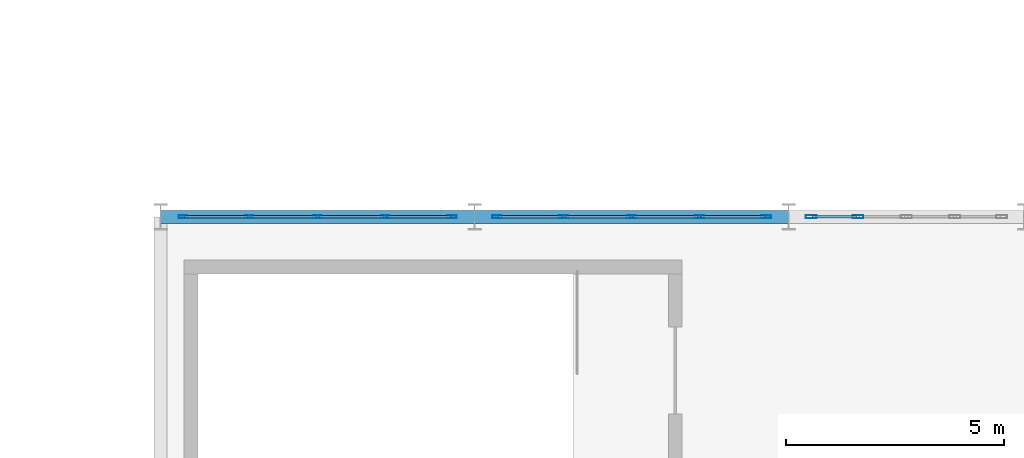
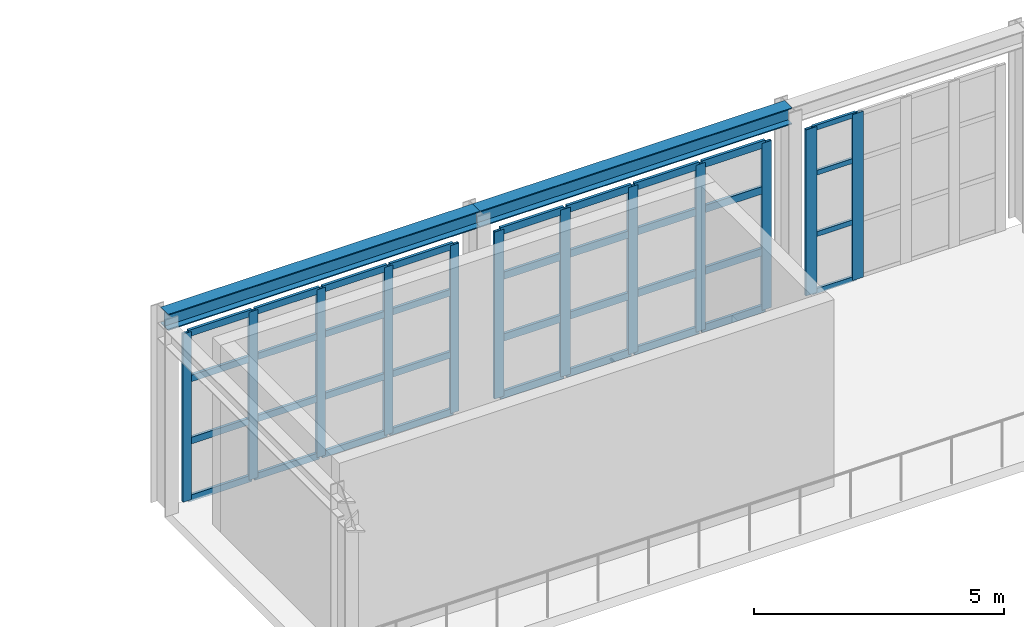
# One storey, part 65 of 126: 48 members, 2 beams, 3 elements without a shape of their own.
"""IFC4 building model written with IfcOpenShell, lengths in metres."""

from ifc_helpers import new_model, si_unit, direction, frame, origin, origin_2d, place, context, subcontext, project, spatial, hollow_rectangle, i_section, extrude, material, layer, layer_set, material_profile, profile_set, type_object, element, aggregate, save


model = new_model("IFC4")

# Units and contexts
model_context = context("Model", 3, precision=1e-05, world=origin(), true_north=direction((0.0, 1.0)))
body_context = subcontext(model_context, "Body", "Model", "MODEL_VIEW")
ifc_project = project(units=[si_unit("LENGTHUNIT", "METRE"), si_unit("AREAUNIT", "SQUARE_METRE"), si_unit("VOLUMEUNIT", "CUBIC_METRE"), si_unit("PLANEANGLEUNIT", "RADIAN"), si_unit("MASSUNIT", "GRAM", prefix="KILO")], contexts=[model_context])

# Site, building, storey
site_placement = place(None, origin())
site = spatial("IfcSite", under=ifc_project, at=site_placement, CompositionType="ELEMENT")
building_placement = place(site_placement, origin())
building = spatial("IfcBuilding", under=site, at=building_placement, Name="Solvadek Multi-Sports Hall", CompositionType="ELEMENT")
storey_placement = place(building_placement, frame((0.0, 0.0, 9.60009765625)))
storey = spatial("IfcBuildingStorey", under=building, at=storey_placement, Name="L02", CompositionType="ELEMENT", Elevation=9.60009765625)

# Curtain wall, members
ifc_material_1 = material(Name="Anodised aluminium", Category="aluminium")
ifc_layer_1 = layer(ifc_material_1, 0.159912109375, Name="Anodised aluminium")
ifc_layer_set_1 = layer_set([ifc_layer_1], Name="Anodised aluminium")
curtain_wall_type_1 = type_object("IfcCurtainWallType", Name="ENV-CW-624X410", PredefinedType="USERDEFINED", material=ifc_layer_set_1)
curtain_wall_1_placement = place(storey_placement, origin())
curtain_wall_1 = element("IfcCurtainWall", 1, at=curtain_wall_1_placement, inside=storey, type_object=curtain_wall_type_1, Name="L02 Perimeter Bay Curtain Wall #131", ObjectType="CURTAIN WALL", PredefinedType="USERDEFINED")
ifc_material_profile_1 = material_profile(ifc_material_1, hollow_rectangle(XDim=0.06494140625, YDim=0.199951171875, WallThickness=0.0048828125, at=origin_2d()), Name="ALU-M 200x65x5")
ifc_profile_set_1 = profile_set([ifc_material_profile_1], Name="Anodised aluminium")
member_type_1 = type_object("IfcMemberType", Name="ENV-CWM-03", PredefinedType="MULLION", material=ifc_profile_set_1)
member_1_placement = place(storey_placement, frame((137.3125, 70.800048828125, 0.0), z_axis=(0.0, 0.0, 1.0), x_axis=(0.0, 1.0, 0.0)))
member_1 = element("IfcMember", 2, at=member_1_placement, type_object=member_type_1, Name="CW-39 mullion 1", PredefinedType="MULLION", context=body_context, shape_type="SweptSolid", body=[
    extrude(hollow_rectangle(XDim=0.06494140625, YDim=0.199951171875, WallThickness=0.0048828125, at=origin_2d()), origin(), (0.0, 0.0, 1.0), 4.099853515625),
])
member_2_placement = place(storey_placement, frame((138.840087890625, 70.800048828125, 0.0), z_axis=(0.0, 0.0, 1.0), x_axis=(0.0, 1.0, 0.0)))
member_2 = element("IfcMember", 3, at=member_2_placement, type_object=member_type_1, Name="CW-39 mullion 2", PredefinedType="MULLION", context=body_context, shape_type="SweptSolid", body=[
    extrude(hollow_rectangle(XDim=0.06494140625, YDim=0.199951171875, WallThickness=0.0048828125, at=origin_2d()), origin(), (0.0, 0.0, 1.0), 4.099853515625),
])
member_3_placement = place(storey_placement, frame((140.39990234375, 70.800048828125, 0.0), z_axis=(0.0, 0.0, 1.0), x_axis=(0.0, 1.0, 0.0)))
member_3 = element("IfcMember", 4, at=member_3_placement, type_object=member_type_1, Name="CW-39 mullion 3", PredefinedType="MULLION", context=body_context, shape_type="SweptSolid", body=[
    extrude(hollow_rectangle(XDim=0.06494140625, YDim=0.199951171875, WallThickness=0.0048828125, at=origin_2d()), origin(), (0.0, 0.0, 1.0), 4.099853515625),
])
member_4_placement = place(storey_placement, frame((141.9599609375, 70.800048828125, 0.0), z_axis=(0.0, 0.0, 1.0), x_axis=(0.0, 1.0, 0.0)))
member_4 = element("IfcMember", 5, at=member_4_placement, type_object=member_type_1, Name="CW-39 mullion 4", PredefinedType="MULLION", context=body_context, shape_type="SweptSolid", body=[
    extrude(hollow_rectangle(XDim=0.06494140625, YDim=0.199951171875, WallThickness=0.0048828125, at=origin_2d()), origin(), (0.0, 0.0, 1.0), 4.099853515625),
])
member_5_placement = place(storey_placement, frame((143.487548828125, 70.800048828125, 0.0), z_axis=(0.0, 0.0, 1.0), x_axis=(0.0, 1.0, 0.0)))
member_5 = element("IfcMember", 6, at=member_5_placement, type_object=member_type_1, Name="CW-39 mullion 5", PredefinedType="MULLION", context=body_context, shape_type="SweptSolid", body=[
    extrude(hollow_rectangle(XDim=0.06494140625, YDim=0.199951171875, WallThickness=0.0048828125, at=origin_2d()), origin(), (0.0, 0.0, 1.0), 4.099853515625),
])

ifc_layer_2 = layer(ifc_material_1, 0.159912109375, Name="Anodised aluminium")
ifc_layer_set_2 = layer_set([ifc_layer_2], Name="Anodised aluminium")
curtain_wall_type_2 = type_object("IfcCurtainWallType", Name="ENV-CW-624X408", PredefinedType="USERDEFINED", material=ifc_layer_set_2)
curtain_wall_2_placement = place(storey_placement, origin())
curtain_wall_2 = element("IfcCurtainWall", 7, at=curtain_wall_2_placement, inside=storey, type_object=curtain_wall_type_2, Name="L02 Perimeter Bay Curtain Wall #134", ObjectType="CURTAIN WALL", PredefinedType="USERDEFINED")
ifc_material_profile_2 = material_profile(ifc_material_1, hollow_rectangle(XDim=0.06494140625, YDim=0.219970703125, WallThickness=0.0048828125, at=origin_2d()), Name="ALU-M 220x65x5")
ifc_profile_set_2 = profile_set([ifc_material_profile_2], Name="Anodised aluminium")
member_type_2 = type_object("IfcMemberType", Name="ENV-CWM-04", PredefinedType="MULLION", material=ifc_profile_set_2)
member_6_placement = place(storey_placement, frame((144.512451171875, 70.800048828125, 0.0), z_axis=(0.0, 0.0, 1.0), x_axis=(0.0, 1.0, 0.0)))
member_6 = element("IfcMember", 8, at=member_6_placement, type_object=member_type_2, Name="CW-40 mullion 1", PredefinedType="MULLION", context=body_context, shape_type="SweptSolid", body=[
    extrude(hollow_rectangle(XDim=0.06494140625, YDim=0.219970703125, WallThickness=0.0048828125, at=origin_2d()), origin(), (0.0, 0.0, 1.0), 4.074951171875),
])
member_7_placement = place(storey_placement, frame((146.0400390625, 70.800048828125, 0.0), z_axis=(0.0, 0.0, 1.0), x_axis=(0.0, 1.0, 0.0)))
member_7 = element("IfcMember", 9, at=member_7_placement, type_object=member_type_2, Name="CW-40 mullion 2", PredefinedType="MULLION", context=body_context, shape_type="SweptSolid", body=[
    extrude(hollow_rectangle(XDim=0.06494140625, YDim=0.219970703125, WallThickness=0.0048828125, at=origin_2d()), origin(), (0.0, 0.0, 1.0), 4.074951171875),
])
member_8_placement = place(storey_placement, frame((147.60009765625, 70.800048828125, 0.0), z_axis=(0.0, 0.0, 1.0), x_axis=(0.0, 1.0, 0.0)))
member_8 = element("IfcMember", 10, at=member_8_placement, type_object=member_type_2, Name="CW-40 mullion 3", PredefinedType="MULLION", context=body_context, shape_type="SweptSolid", body=[
    extrude(hollow_rectangle(XDim=0.06494140625, YDim=0.219970703125, WallThickness=0.0048828125, at=origin_2d()), origin(), (0.0, 0.0, 1.0), 4.074951171875),
])
member_9_placement = place(storey_placement, frame((149.159912109375, 70.800048828125, 0.0), z_axis=(0.0, 0.0, 1.0), x_axis=(0.0, 1.0, 0.0)))
member_9 = element("IfcMember", 11, at=member_9_placement, type_object=member_type_2, Name="CW-40 mullion 4", PredefinedType="MULLION", context=body_context, shape_type="SweptSolid", body=[
    extrude(hollow_rectangle(XDim=0.06494140625, YDim=0.219970703125, WallThickness=0.0048828125, at=origin_2d()), origin(), (0.0, 0.0, 1.0), 4.074951171875),
])
member_10_placement = place(storey_placement, frame((150.6875, 70.800048828125, 0.0), z_axis=(0.0, 0.0, 1.0), x_axis=(0.0, 1.0, 0.0)))
member_10 = element("IfcMember", 12, at=member_10_placement, type_object=member_type_2, Name="CW-40 mullion 5", PredefinedType="MULLION", context=body_context, shape_type="SweptSolid", body=[
    extrude(hollow_rectangle(XDim=0.06494140625, YDim=0.219970703125, WallThickness=0.0048828125, at=origin_2d()), origin(), (0.0, 0.0, 1.0), 4.074951171875),
])

ifc_layer_3 = layer(ifc_material_1, 0.159912109375, Name="Anodised aluminium")
ifc_layer_set_3 = layer_set([ifc_layer_3], Name="Anodised aluminium")
curtain_wall_type_3 = type_object("IfcCurtainWallType", Name="ENV-CW-444X405", PredefinedType="USERDEFINED", material=ifc_layer_set_3)
curtain_wall_3_placement = place(storey_placement, origin())
curtain_wall_3 = element("IfcCurtainWall", 13, at=curtain_wall_3_placement, inside=storey, type_object=curtain_wall_type_3, Name="L02 Perimeter Bay Curtain Wall #138", ObjectType="CURTAIN WALL", PredefinedType="USERDEFINED")
ifc_material_profile_3 = material_profile(ifc_material_1, hollow_rectangle(XDim=0.070068359375, YDim=0.25, WallThickness=0.0048828125, at=origin_2d()), Name="ALU-M 250x70x5")
ifc_profile_set_3 = profile_set([ifc_material_profile_3], Name="Anodised aluminium")
member_type_3 = type_object("IfcMemberType", Name="ENV-CWM-05", PredefinedType="MULLION", material=ifc_profile_set_3)
member_11_placement = place(storey_placement, frame((151.715087890625, 70.800048828125, 0.0), z_axis=(0.0, 0.0, 1.0), x_axis=(0.0, 1.0, 0.0)))
member_11 = element("IfcMember", 14, at=member_11_placement, type_object=member_type_3, Name="CW-46 mullion 1", PredefinedType="MULLION", context=body_context, shape_type="SweptSolid", body=[
    extrude(hollow_rectangle(XDim=0.070068359375, YDim=0.25, WallThickness=0.0048828125, at=origin_2d()), origin(), (0.0, 0.0, 1.0), 4.0498046875),
])
member_12_placement = place(storey_placement, frame((152.7900390625, 70.800048828125, 0.0), z_axis=(0.0, 0.0, 1.0), x_axis=(0.0, 1.0, 0.0)))
member_12 = element("IfcMember", 15, at=member_12_placement, type_object=member_type_3, Name="CW-46 mullion 2", PredefinedType="MULLION", context=body_context, shape_type="SweptSolid", body=[
    extrude(hollow_rectangle(XDim=0.070068359375, YDim=0.25, WallThickness=0.0048828125, at=origin_2d()), origin(), (0.0, 0.0, 1.0), 4.0498046875),
])
ifc_material_profile_4 = material_profile(ifc_material_1, hollow_rectangle(XDim=0.06005859375, YDim=0.1201171875, WallThickness=0.00390625, at=origin_2d()), Name="ALU-T 120x60x4")
ifc_profile_set_4 = profile_set([ifc_material_profile_4], Name="Anodised aluminium")
member_type_4 = type_object("IfcMemberType", Name="ENV-CWT-01", PredefinedType="USERDEFINED", material=ifc_profile_set_4)
member_13_placement = place(storey_placement, frame((151.75, 70.800048828125, 0.02978515625), z_axis=(1.0, 0.0, 0.0), x_axis=(0.0, 1.0, 0.0)))
member_13 = element("IfcMember", 16, at=member_13_placement, type_object=member_type_4, Name="CW-46 transom 1.1", ObjectType="TRANSOM", PredefinedType="USERDEFINED", context=body_context, shape_type="SweptSolid", body=[
    extrude(hollow_rectangle(XDim=0.06005859375, YDim=0.1201171875, WallThickness=0.00390625, at=origin_2d()), origin(), (0.0, 0.0, 1.0), 1.0048828125),
])
member_14_placement = place(storey_placement, frame((151.75, 70.800048828125, 1.41796875), z_axis=(1.0, 0.0, 0.0), x_axis=(0.0, 1.0, 0.0)))
member_14 = element("IfcMember", 17, at=member_14_placement, type_object=member_type_4, Name="CW-46 transom 1.2", ObjectType="TRANSOM", PredefinedType="USERDEFINED", context=body_context, shape_type="SweptSolid", body=[
    extrude(hollow_rectangle(XDim=0.06005859375, YDim=0.1201171875, WallThickness=0.00390625, at=origin_2d()), origin(), (0.0, 0.0, 1.0), 1.0048828125),
])
member_15_placement = place(storey_placement, frame((151.75, 70.800048828125, 2.916015625), z_axis=(1.0, 0.0, 0.0), x_axis=(0.0, 1.0, 0.0)))
member_15 = element("IfcMember", 18, at=member_15_placement, type_object=member_type_4, Name="CW-46 transom 1.3", ObjectType="TRANSOM", PredefinedType="USERDEFINED", context=body_context, shape_type="SweptSolid", body=[
    extrude(hollow_rectangle(XDim=0.06005859375, YDim=0.1201171875, WallThickness=0.00390625, at=origin_2d()), origin(), (0.0, 0.0, 1.0), 1.0048828125),
])
member_16_placement = place(storey_placement, frame((151.75, 70.800048828125, 4.02001953125), z_axis=(1.0, 0.0, 0.0), x_axis=(0.0, 1.0, 0.0)))
member_16 = element("IfcMember", 19, at=member_16_placement, type_object=member_type_4, Name="CW-46 transom 1.4", ObjectType="TRANSOM", PredefinedType="USERDEFINED", context=body_context, shape_type="SweptSolid", body=[
    extrude(hollow_rectangle(XDim=0.06005859375, YDim=0.1201171875, WallThickness=0.00390625, at=origin_2d()), origin(), (0.0, 0.0, 1.0), 1.0048828125),
])
aggregate(curtain_wall_3, [member_11, member_12, member_13, member_14, member_15, member_16])

# Member
ifc_material_profile_5 = material_profile(ifc_material_1, hollow_rectangle(XDim=0.06494140625, YDim=0.159912109375, WallThickness=0.00390625, at=origin_2d()), Name="ALU-T 160x65x4")
ifc_profile_set_5 = profile_set([ifc_material_profile_5], Name="Anodised aluminium")
member_type_5 = type_object("IfcMemberType", Name="ENV-CWT-03", PredefinedType="USERDEFINED", material=ifc_profile_set_5)
member_17_placement = place(storey_placement, frame((137.344970703125, 70.800048828125, 0.032470703125), z_axis=(1.0, 0.0, 0.0), x_axis=(0.0, 1.0, 0.0)))
member_17 = element("IfcMember", 20, at=member_17_placement, type_object=member_type_5, Name="CW-39 transom 1.1", ObjectType="TRANSOM", PredefinedType="USERDEFINED", context=body_context, shape_type="SweptSolid", body=[
    extrude(hollow_rectangle(XDim=0.06494140625, YDim=0.159912109375, WallThickness=0.00390625, at=origin_2d()), origin(), (0.0, 0.0, 1.0), 1.462646484375),
])

member_18_placement = place(storey_placement, frame((137.344970703125, 70.800048828125, 1.434814453125), z_axis=(1.0, 0.0, 0.0), x_axis=(0.0, 1.0, 0.0)))
member_18 = element("IfcMember", 21, at=member_18_placement, type_object=member_type_5, Name="CW-39 transom 1.2", ObjectType="TRANSOM", PredefinedType="USERDEFINED", context=body_context, shape_type="SweptSolid", body=[
    extrude(hollow_rectangle(XDim=0.06494140625, YDim=0.159912109375, WallThickness=0.00390625, at=origin_2d()), origin(), (0.0, 0.0, 1.0), 1.462646484375),
])

member_19_placement = place(storey_placement, frame((137.344970703125, 70.800048828125, 2.951904296875), z_axis=(1.0, 0.0, 0.0), x_axis=(0.0, 1.0, 0.0)))
member_19 = element("IfcMember", 22, at=member_19_placement, type_object=member_type_5, Name="CW-39 transom 1.3", ObjectType="TRANSOM", PredefinedType="USERDEFINED", context=body_context, shape_type="SweptSolid", body=[
    extrude(hollow_rectangle(XDim=0.06494140625, YDim=0.159912109375, WallThickness=0.00390625, at=origin_2d()), origin(), (0.0, 0.0, 1.0), 1.462646484375),
])

member_20_placement = place(storey_placement, frame((137.344970703125, 70.800048828125, 4.0673828125), z_axis=(1.0, 0.0, 0.0), x_axis=(0.0, 1.0, 0.0)))
member_20 = element("IfcMember", 23, at=member_20_placement, type_object=member_type_5, Name="CW-39 transom 1.4", ObjectType="TRANSOM", PredefinedType="USERDEFINED", context=body_context, shape_type="SweptSolid", body=[
    extrude(hollow_rectangle(XDim=0.06494140625, YDim=0.159912109375, WallThickness=0.00390625, at=origin_2d()), origin(), (0.0, 0.0, 1.0), 1.462646484375),
])

member_21_placement = place(storey_placement, frame((138.87255859375, 70.800048828125, 0.032470703125), z_axis=(1.0, 0.0, 0.0), x_axis=(0.0, 1.0, 0.0)))
member_21 = element("IfcMember", 24, at=member_21_placement, type_object=member_type_5, Name="CW-39 transom 2.1", ObjectType="TRANSOM", PredefinedType="USERDEFINED", context=body_context, shape_type="SweptSolid", body=[
    extrude(hollow_rectangle(XDim=0.06494140625, YDim=0.159912109375, WallThickness=0.00390625, at=origin_2d()), origin(), (0.0, 0.0, 1.0), 1.494873046875),
])

member_22_placement = place(storey_placement, frame((138.87255859375, 70.800048828125, 1.434814453125), z_axis=(1.0, 0.0, 0.0), x_axis=(0.0, 1.0, 0.0)))
member_22 = element("IfcMember", 25, at=member_22_placement, type_object=member_type_5, Name="CW-39 transom 2.2", ObjectType="TRANSOM", PredefinedType="USERDEFINED", context=body_context, shape_type="SweptSolid", body=[
    extrude(hollow_rectangle(XDim=0.06494140625, YDim=0.159912109375, WallThickness=0.00390625, at=origin_2d()), origin(), (0.0, 0.0, 1.0), 1.494873046875),
])

member_23_placement = place(storey_placement, frame((138.87255859375, 70.800048828125, 2.951904296875), z_axis=(1.0, 0.0, 0.0), x_axis=(0.0, 1.0, 0.0)))
member_23 = element("IfcMember", 26, at=member_23_placement, type_object=member_type_5, Name="CW-39 transom 2.3", ObjectType="TRANSOM", PredefinedType="USERDEFINED", context=body_context, shape_type="SweptSolid", body=[
    extrude(hollow_rectangle(XDim=0.06494140625, YDim=0.159912109375, WallThickness=0.00390625, at=origin_2d()), origin(), (0.0, 0.0, 1.0), 1.494873046875),
])

member_24_placement = place(storey_placement, frame((138.87255859375, 70.800048828125, 4.0673828125), z_axis=(1.0, 0.0, 0.0), x_axis=(0.0, 1.0, 0.0)))
member_24 = element("IfcMember", 27, at=member_24_placement, type_object=member_type_5, Name="CW-39 transom 2.4", ObjectType="TRANSOM", PredefinedType="USERDEFINED", context=body_context, shape_type="SweptSolid", body=[
    extrude(hollow_rectangle(XDim=0.06494140625, YDim=0.159912109375, WallThickness=0.00390625, at=origin_2d()), origin(), (0.0, 0.0, 1.0), 1.494873046875),
])

member_25_placement = place(storey_placement, frame((140.4326171875, 70.800048828125, 0.032470703125), z_axis=(1.0, 0.0, 0.0), x_axis=(0.0, 1.0, 0.0)))
member_25 = element("IfcMember", 28, at=member_25_placement, type_object=member_type_5, Name="CW-39 transom 3.1", ObjectType="TRANSOM", PredefinedType="USERDEFINED", context=body_context, shape_type="SweptSolid", body=[
    extrude(hollow_rectangle(XDim=0.06494140625, YDim=0.159912109375, WallThickness=0.00390625, at=origin_2d()), origin(), (0.0, 0.0, 1.0), 1.494873046875),
])

member_26_placement = place(storey_placement, frame((140.4326171875, 70.800048828125, 1.434814453125), z_axis=(1.0, 0.0, 0.0), x_axis=(0.0, 1.0, 0.0)))
member_26 = element("IfcMember", 29, at=member_26_placement, type_object=member_type_5, Name="CW-39 transom 3.2", ObjectType="TRANSOM", PredefinedType="USERDEFINED", context=body_context, shape_type="SweptSolid", body=[
    extrude(hollow_rectangle(XDim=0.06494140625, YDim=0.159912109375, WallThickness=0.00390625, at=origin_2d()), origin(), (0.0, 0.0, 1.0), 1.494873046875),
])

member_27_placement = place(storey_placement, frame((140.4326171875, 70.800048828125, 2.951904296875), z_axis=(1.0, 0.0, 0.0), x_axis=(0.0, 1.0, 0.0)))
member_27 = element("IfcMember", 30, at=member_27_placement, type_object=member_type_5, Name="CW-39 transom 3.3", ObjectType="TRANSOM", PredefinedType="USERDEFINED", context=body_context, shape_type="SweptSolid", body=[
    extrude(hollow_rectangle(XDim=0.06494140625, YDim=0.159912109375, WallThickness=0.00390625, at=origin_2d()), origin(), (0.0, 0.0, 1.0), 1.494873046875),
])

member_28_placement = place(storey_placement, frame((140.4326171875, 70.800048828125, 4.0673828125), z_axis=(1.0, 0.0, 0.0), x_axis=(0.0, 1.0, 0.0)))
member_28 = element("IfcMember", 31, at=member_28_placement, type_object=member_type_5, Name="CW-39 transom 3.4", ObjectType="TRANSOM", PredefinedType="USERDEFINED", context=body_context, shape_type="SweptSolid", body=[
    extrude(hollow_rectangle(XDim=0.06494140625, YDim=0.159912109375, WallThickness=0.00390625, at=origin_2d()), origin(), (0.0, 0.0, 1.0), 1.494873046875),
])

member_29_placement = place(storey_placement, frame((141.992431640625, 70.800048828125, 0.032470703125), z_axis=(1.0, 0.0, 0.0), x_axis=(0.0, 1.0, 0.0)))
member_29 = element("IfcMember", 32, at=member_29_placement, type_object=member_type_5, Name="CW-39 transom 4.1", ObjectType="TRANSOM", PredefinedType="USERDEFINED", context=body_context, shape_type="SweptSolid", body=[
    extrude(hollow_rectangle(XDim=0.06494140625, YDim=0.159912109375, WallThickness=0.00390625, at=origin_2d()), origin(), (0.0, 0.0, 1.0), 1.462646484375),
])

member_30_placement = place(storey_placement, frame((141.992431640625, 70.800048828125, 1.434814453125), z_axis=(1.0, 0.0, 0.0), x_axis=(0.0, 1.0, 0.0)))
member_30 = element("IfcMember", 33, at=member_30_placement, type_object=member_type_5, Name="CW-39 transom 4.2", ObjectType="TRANSOM", PredefinedType="USERDEFINED", context=body_context, shape_type="SweptSolid", body=[
    extrude(hollow_rectangle(XDim=0.06494140625, YDim=0.159912109375, WallThickness=0.00390625, at=origin_2d()), origin(), (0.0, 0.0, 1.0), 1.462646484375),
])

member_31_placement = place(storey_placement, frame((141.992431640625, 70.800048828125, 2.951904296875), z_axis=(1.0, 0.0, 0.0), x_axis=(0.0, 1.0, 0.0)))
member_31 = element("IfcMember", 34, at=member_31_placement, type_object=member_type_5, Name="CW-39 transom 4.3", ObjectType="TRANSOM", PredefinedType="USERDEFINED", context=body_context, shape_type="SweptSolid", body=[
    extrude(hollow_rectangle(XDim=0.06494140625, YDim=0.159912109375, WallThickness=0.00390625, at=origin_2d()), origin(), (0.0, 0.0, 1.0), 1.462646484375),
])

member_32_placement = place(storey_placement, frame((141.992431640625, 70.800048828125, 4.0673828125), z_axis=(1.0, 0.0, 0.0), x_axis=(0.0, 1.0, 0.0)))
member_32 = element("IfcMember", 35, at=member_32_placement, type_object=member_type_5, Name="CW-39 transom 4.4", ObjectType="TRANSOM", PredefinedType="USERDEFINED", context=body_context, shape_type="SweptSolid", body=[
    extrude(hollow_rectangle(XDim=0.06494140625, YDim=0.159912109375, WallThickness=0.00390625, at=origin_2d()), origin(), (0.0, 0.0, 1.0), 1.462646484375),
])

aggregate(curtain_wall_1, [member_1, member_2, member_3, member_4, member_5, member_17, member_18, member_19, member_20, member_21, member_22, member_23, member_24, member_25, member_26, member_27, member_28, member_29, member_30, member_31, member_32])

ifc_material_profile_6 = material_profile(ifc_material_1, hollow_rectangle(XDim=0.06494140625, YDim=0.179931640625, WallThickness=0.0048828125, at=origin_2d()), Name="ALU-T 180x65x5")
ifc_profile_set_6 = profile_set([ifc_material_profile_6], Name="Anodised aluminium")
member_type_6 = type_object("IfcMemberType", Name="ENV-CWT-04", PredefinedType="USERDEFINED", material=ifc_profile_set_6)
member_33_placement = place(storey_placement, frame((144.544921875, 70.800048828125, 0.032470703125), z_axis=(1.0, 0.0, 0.0), x_axis=(0.0, 1.0, 0.0)))
member_33 = element("IfcMember", 36, at=member_33_placement, type_object=member_type_6, Name="CW-40 transom 1.1", ObjectType="TRANSOM", PredefinedType="USERDEFINED", context=body_context, shape_type="SweptSolid", body=[
    extrude(hollow_rectangle(XDim=0.06494140625, YDim=0.179931640625, WallThickness=0.0048828125, at=origin_2d()), origin(), (0.0, 0.0, 1.0), 1.462646484375),
])

member_34_placement = place(storey_placement, frame((144.544921875, 70.800048828125, 1.42578125), z_axis=(1.0, 0.0, 0.0), x_axis=(0.0, 1.0, 0.0)))
member_34 = element("IfcMember", 37, at=member_34_placement, type_object=member_type_6, Name="CW-40 transom 1.2", ObjectType="TRANSOM", PredefinedType="USERDEFINED", context=body_context, shape_type="SweptSolid", body=[
    extrude(hollow_rectangle(XDim=0.06494140625, YDim=0.179931640625, WallThickness=0.0048828125, at=origin_2d()), origin(), (0.0, 0.0, 1.0), 1.462646484375),
])

member_35_placement = place(storey_placement, frame((144.544921875, 70.800048828125, 2.933837890625), z_axis=(1.0, 0.0, 0.0), x_axis=(0.0, 1.0, 0.0)))
member_35 = element("IfcMember", 38, at=member_35_placement, type_object=member_type_6, Name="CW-40 transom 1.3", ObjectType="TRANSOM", PredefinedType="USERDEFINED", context=body_context, shape_type="SweptSolid", body=[
    extrude(hollow_rectangle(XDim=0.06494140625, YDim=0.179931640625, WallThickness=0.0048828125, at=origin_2d()), origin(), (0.0, 0.0, 1.0), 1.462646484375),
])

member_36_placement = place(storey_placement, frame((144.544921875, 70.800048828125, 4.04248046875), z_axis=(1.0, 0.0, 0.0), x_axis=(0.0, 1.0, 0.0)))
member_36 = element("IfcMember", 39, at=member_36_placement, type_object=member_type_6, Name="CW-40 transom 1.4", ObjectType="TRANSOM", PredefinedType="USERDEFINED", context=body_context, shape_type="SweptSolid", body=[
    extrude(hollow_rectangle(XDim=0.06494140625, YDim=0.179931640625, WallThickness=0.0048828125, at=origin_2d()), origin(), (0.0, 0.0, 1.0), 1.462646484375),
])

member_37_placement = place(storey_placement, frame((146.072509765625, 70.800048828125, 0.032470703125), z_axis=(1.0, 0.0, 0.0), x_axis=(0.0, 1.0, 0.0)))
member_37 = element("IfcMember", 40, at=member_37_placement, type_object=member_type_6, Name="CW-40 transom 2.1", ObjectType="TRANSOM", PredefinedType="USERDEFINED", context=body_context, shape_type="SweptSolid", body=[
    extrude(hollow_rectangle(XDim=0.06494140625, YDim=0.179931640625, WallThickness=0.0048828125, at=origin_2d()), origin(), (0.0, 0.0, 1.0), 1.494873046875),
])

member_38_placement = place(storey_placement, frame((146.072509765625, 70.800048828125, 1.42578125), z_axis=(1.0, 0.0, 0.0), x_axis=(0.0, 1.0, 0.0)))
member_38 = element("IfcMember", 41, at=member_38_placement, type_object=member_type_6, Name="CW-40 transom 2.2", ObjectType="TRANSOM", PredefinedType="USERDEFINED", context=body_context, shape_type="SweptSolid", body=[
    extrude(hollow_rectangle(XDim=0.06494140625, YDim=0.179931640625, WallThickness=0.0048828125, at=origin_2d()), origin(), (0.0, 0.0, 1.0), 1.494873046875),
])

member_39_placement = place(storey_placement, frame((146.072509765625, 70.800048828125, 2.933837890625), z_axis=(1.0, 0.0, 0.0), x_axis=(0.0, 1.0, 0.0)))
member_39 = element("IfcMember", 42, at=member_39_placement, type_object=member_type_6, Name="CW-40 transom 2.3", ObjectType="TRANSOM", PredefinedType="USERDEFINED", context=body_context, shape_type="SweptSolid", body=[
    extrude(hollow_rectangle(XDim=0.06494140625, YDim=0.179931640625, WallThickness=0.0048828125, at=origin_2d()), origin(), (0.0, 0.0, 1.0), 1.494873046875),
])

member_40_placement = place(storey_placement, frame((146.072509765625, 70.800048828125, 4.04248046875), z_axis=(1.0, 0.0, 0.0), x_axis=(0.0, 1.0, 0.0)))
member_40 = element("IfcMember", 43, at=member_40_placement, type_object=member_type_6, Name="CW-40 transom 2.4", ObjectType="TRANSOM", PredefinedType="USERDEFINED", context=body_context, shape_type="SweptSolid", body=[
    extrude(hollow_rectangle(XDim=0.06494140625, YDim=0.179931640625, WallThickness=0.0048828125, at=origin_2d()), origin(), (0.0, 0.0, 1.0), 1.494873046875),
])

member_41_placement = place(storey_placement, frame((147.632568359375, 70.800048828125, 0.032470703125), z_axis=(1.0, 0.0, 0.0), x_axis=(0.0, 1.0, 0.0)))
member_41 = element("IfcMember", 44, at=member_41_placement, type_object=member_type_6, Name="CW-40 transom 3.1", ObjectType="TRANSOM", PredefinedType="USERDEFINED", context=body_context, shape_type="SweptSolid", body=[
    extrude(hollow_rectangle(XDim=0.06494140625, YDim=0.179931640625, WallThickness=0.0048828125, at=origin_2d()), origin(), (0.0, 0.0, 1.0), 1.494873046875),
])

member_42_placement = place(storey_placement, frame((147.632568359375, 70.800048828125, 1.42578125), z_axis=(1.0, 0.0, 0.0), x_axis=(0.0, 1.0, 0.0)))
member_42 = element("IfcMember", 45, at=member_42_placement, type_object=member_type_6, Name="CW-40 transom 3.2", ObjectType="TRANSOM", PredefinedType="USERDEFINED", context=body_context, shape_type="SweptSolid", body=[
    extrude(hollow_rectangle(XDim=0.06494140625, YDim=0.179931640625, WallThickness=0.0048828125, at=origin_2d()), origin(), (0.0, 0.0, 1.0), 1.494873046875),
])

member_43_placement = place(storey_placement, frame((147.632568359375, 70.800048828125, 2.933837890625), z_axis=(1.0, 0.0, 0.0), x_axis=(0.0, 1.0, 0.0)))
member_43 = element("IfcMember", 46, at=member_43_placement, type_object=member_type_6, Name="CW-40 transom 3.3", ObjectType="TRANSOM", PredefinedType="USERDEFINED", context=body_context, shape_type="SweptSolid", body=[
    extrude(hollow_rectangle(XDim=0.06494140625, YDim=0.179931640625, WallThickness=0.0048828125, at=origin_2d()), origin(), (0.0, 0.0, 1.0), 1.494873046875),
])

member_44_placement = place(storey_placement, frame((147.632568359375, 70.800048828125, 4.04248046875), z_axis=(1.0, 0.0, 0.0), x_axis=(0.0, 1.0, 0.0)))
member_44 = element("IfcMember", 47, at=member_44_placement, type_object=member_type_6, Name="CW-40 transom 3.4", ObjectType="TRANSOM", PredefinedType="USERDEFINED", context=body_context, shape_type="SweptSolid", body=[
    extrude(hollow_rectangle(XDim=0.06494140625, YDim=0.179931640625, WallThickness=0.0048828125, at=origin_2d()), origin(), (0.0, 0.0, 1.0), 1.494873046875),
])

member_45_placement = place(storey_placement, frame((149.1923828125, 70.800048828125, 0.032470703125), z_axis=(1.0, 0.0, 0.0), x_axis=(0.0, 1.0, 0.0)))
member_45 = element("IfcMember", 48, at=member_45_placement, type_object=member_type_6, Name="CW-40 transom 4.1", ObjectType="TRANSOM", PredefinedType="USERDEFINED", context=body_context, shape_type="SweptSolid", body=[
    extrude(hollow_rectangle(XDim=0.06494140625, YDim=0.179931640625, WallThickness=0.0048828125, at=origin_2d()), origin(), (0.0, 0.0, 1.0), 1.462646484375),
])

member_46_placement = place(storey_placement, frame((149.1923828125, 70.800048828125, 1.42578125), z_axis=(1.0, 0.0, 0.0), x_axis=(0.0, 1.0, 0.0)))
member_46 = element("IfcMember", 49, at=member_46_placement, type_object=member_type_6, Name="CW-40 transom 4.2", ObjectType="TRANSOM", PredefinedType="USERDEFINED", context=body_context, shape_type="SweptSolid", body=[
    extrude(hollow_rectangle(XDim=0.06494140625, YDim=0.179931640625, WallThickness=0.0048828125, at=origin_2d()), origin(), (0.0, 0.0, 1.0), 1.462646484375),
])

member_47_placement = place(storey_placement, frame((149.1923828125, 70.800048828125, 2.933837890625), z_axis=(1.0, 0.0, 0.0), x_axis=(0.0, 1.0, 0.0)))
member_47 = element("IfcMember", 50, at=member_47_placement, type_object=member_type_6, Name="CW-40 transom 4.3", ObjectType="TRANSOM", PredefinedType="USERDEFINED", context=body_context, shape_type="SweptSolid", body=[
    extrude(hollow_rectangle(XDim=0.06494140625, YDim=0.179931640625, WallThickness=0.0048828125, at=origin_2d()), origin(), (0.0, 0.0, 1.0), 1.462646484375),
])

member_48_placement = place(storey_placement, frame((149.1923828125, 70.800048828125, 4.04248046875), z_axis=(1.0, 0.0, 0.0), x_axis=(0.0, 1.0, 0.0)))
member_48 = element("IfcMember", 51, at=member_48_placement, type_object=member_type_6, Name="CW-40 transom 4.4", ObjectType="TRANSOM", PredefinedType="USERDEFINED", context=body_context, shape_type="SweptSolid", body=[
    extrude(hollow_rectangle(XDim=0.06494140625, YDim=0.179931640625, WallThickness=0.0048828125, at=origin_2d()), origin(), (0.0, 0.0, 1.0), 1.462646484375),
])

aggregate(curtain_wall_2, [member_6, member_7, member_8, member_9, member_10, member_33, member_34, member_35, member_36, member_37, member_38, member_39, member_40, member_41, member_42, member_43, member_44, member_45, member_46, member_47, member_48])

# Beams
ifc_material_2 = material(Name="Steel E350 (350 MPa)", Category="steel")
ifc_material_profile_7 = material_profile(ifc_material_2, i_section(OverallWidth=0.300048828125, OverallDepth=0.39990234375, WebThickness=0.013427734375, FlangeThickness=0.02392578125, at=origin_2d()), Name="WPB 400")
ifc_profile_set_7 = profile_set([ifc_material_profile_7], Name="Steel E350 (350 MPa)")
beam_type = type_object("IfcBeamType", Name="STR-SPN-WPB400", PredefinedType="SPANDREL", material=ifc_profile_set_7)
for number, where, z_axis, x_axis, name in (
    (52, (136.800048828125, 70.800048828125, 4.599853515625), (1.0, 0.0, 0.0), (0.0, 1.0, 0.0), "L02 V2 Perimeter Spandrel #81"),
    (53, (144.0, 70.800048828125, 4.599853515625), (1.0, 0.0, 0.0), (0.0, 1.0, 0.0), "L02 V2 Perimeter Spandrel #82"),
):
    element("IfcBeam", number, at=place(storey_placement, frame(where, z_axis=z_axis, x_axis=x_axis)), inside=storey, type_object=beam_type, Name=name, PredefinedType="SPANDREL", context=body_context, shape_type="SweptSolid", body=[
        extrude(i_section(OverallWidth=0.300048828125, OverallDepth=0.39990234375, WebThickness=0.013427734375, FlangeThickness=0.02392578125, at=origin_2d()), origin(), (0.0, 0.0, 1.0), 7.199951171875),
    ])

save(model, "model.ifc")
